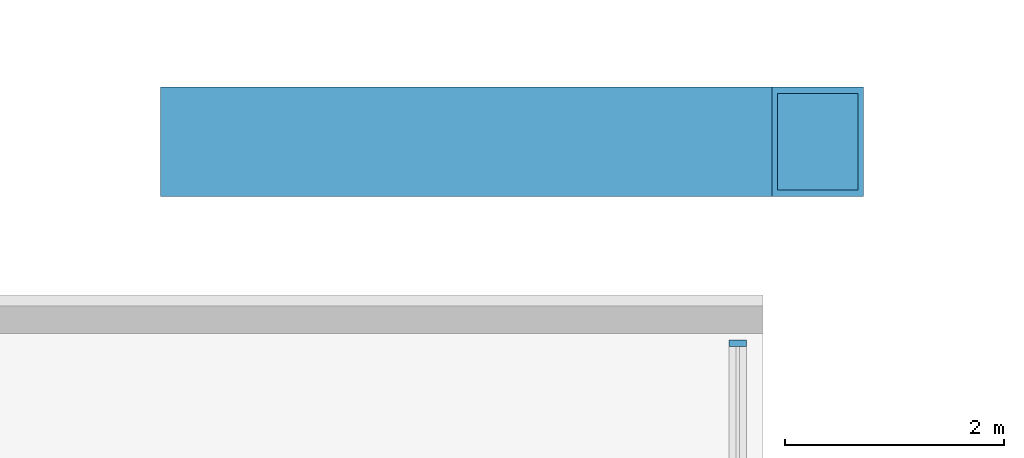
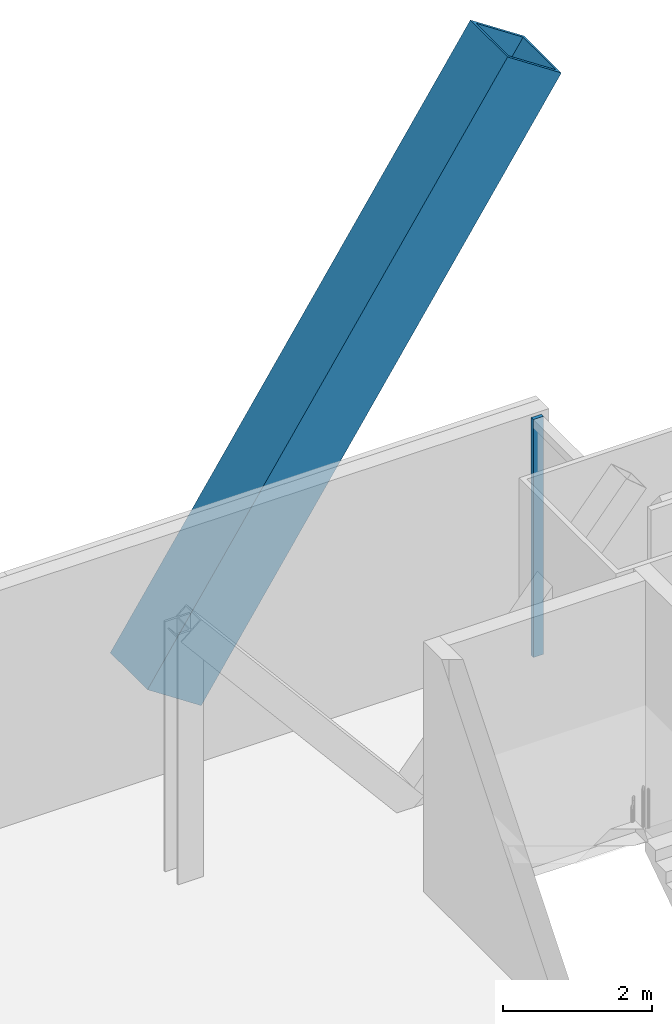
# One storey, part 13 of 21: 2 members, 1 element without a shape of its own.
"""IFC4 building model written with IfcOpenShell, lengths in metres."""

from ifc_helpers import new_model, si_unit, direction, frame, origin, origin_2d, place, context, subcontext, project, spatial, rectangle, hollow_rectangle, extrude, material, material_profile, profile_set, type_object, element, aggregate, save


model = new_model("IFC4")

# Units and contexts
model_context = context("Model", 3, precision=1e-05, world=origin(), true_north=direction((0.0, 1.0)))
body_context = subcontext(model_context, "Body", "Model", "MODEL_VIEW")
ifc_project = project(units=[si_unit("LENGTHUNIT", "METRE"), si_unit("AREAUNIT", "SQUARE_METRE"), si_unit("VOLUMEUNIT", "CUBIC_METRE"), si_unit("PLANEANGLEUNIT", "RADIAN"), si_unit("MASSUNIT", "GRAM", prefix="KILO")], contexts=[model_context])

# Site, building, storey
site_placement = place(None, origin())
site = spatial("IfcSite", under=ifc_project, at=site_placement, CompositionType="ELEMENT")
building_placement = place(site_placement, origin())
building = spatial("IfcBuilding", under=site, at=building_placement, Name="Bicima Exchange Tower", CompositionType="ELEMENT")
storey_placement = place(building_placement, frame((0.0, 0.0, 181.39990234375)))
storey = spatial("IfcBuildingStorey", under=building, at=storey_placement, Name="L40", CompositionType="ELEMENT", Elevation=181.39990234375)

# Member
ifc_material_1 = material(Name="Steel ASTM A572 Gr 50", Category="steel")
ifc_material_profile_1 = material_profile(ifc_material_1, hollow_rectangle(XDim=1.0, YDim=1.0, WallThickness=0.06005859375, at=origin_2d()))
ifc_profile_set_1 = profile_set([ifc_material_profile_1], Name="Steel ASTM A572 Gr 50")
member_type_1 = type_object("IfcMemberType", Name="Exo mega brace BOX 1000x1000x60", PredefinedType="BRACE", material=ifc_profile_set_1)
member_1_placement = place(storey_placement, frame((27.916748046875, 1.5, 0.183349609375), z_axis=(0.552785436873, 0.0, 0.833323623079), x_axis=(0.0, 1.0, 0.0)))
element("IfcMember", 1, at=member_1_placement, inside=storey, type_object=member_type_1, Name="Exo mega brace rear", PredefinedType="BRACE", context=body_context, shape_type="SweptSolid", body=[
    extrude(hollow_rectangle(XDim=1.0, YDim=1.0, WallThickness=0.06005859375, at=origin_2d()), origin(), (0.0, 0.0, 1.0), 10.10009765625),
])

# Curtain wall, member
ifc_material_2 = material(Name="Anodised bronze aluminium", Category="aluminium")
curtain_wall_type = type_object("IfcCurtainWallType", Name="Front glass wall", PredefinedType="NOTDEFINED", material=ifc_material_2)
curtain_wall_placement = place(storey_placement, origin())
curtain_wall = element("IfcCurtainWall", 2, at=curtain_wall_placement, inside=storey, type_object=curtain_wall_type, Name="Front glass wall L40 run 20", PredefinedType="NOTDEFINED")
ifc_material_profile_2 = material_profile(ifc_material_2, rectangle(XDim=0.159912109375, YDim=0.06005859375, at=origin_2d()))
ifc_profile_set_2 = profile_set([ifc_material_profile_2], Name="Anodised bronze aluminium")
member_type_2 = type_object("IfcMemberType", Name="Front glass wall mullion 60 x 160", PredefinedType="MULLION", material=ifc_profile_set_2)
member_2_placement = place(storey_placement, frame((32.77001953125, -0.340087890625, 0.0), z_axis=(0.0, 0.0, 1.0), x_axis=(-1.0, 0.0, 0.0)))
member_2 = element("IfcMember", 3, at=member_2_placement, type_object=member_type_2, Name="Front glass wall mullion 2", PredefinedType="MULLION", context=body_context, shape_type="SweptSolid", body=[
    extrude(rectangle(XDim=0.159912109375, YDim=0.06005859375, at=origin_2d()), origin(), (0.0, 0.0, 1.0), 3.900146484375),
])
aggregate(curtain_wall, [member_2])

save(model, "model.ifc")
